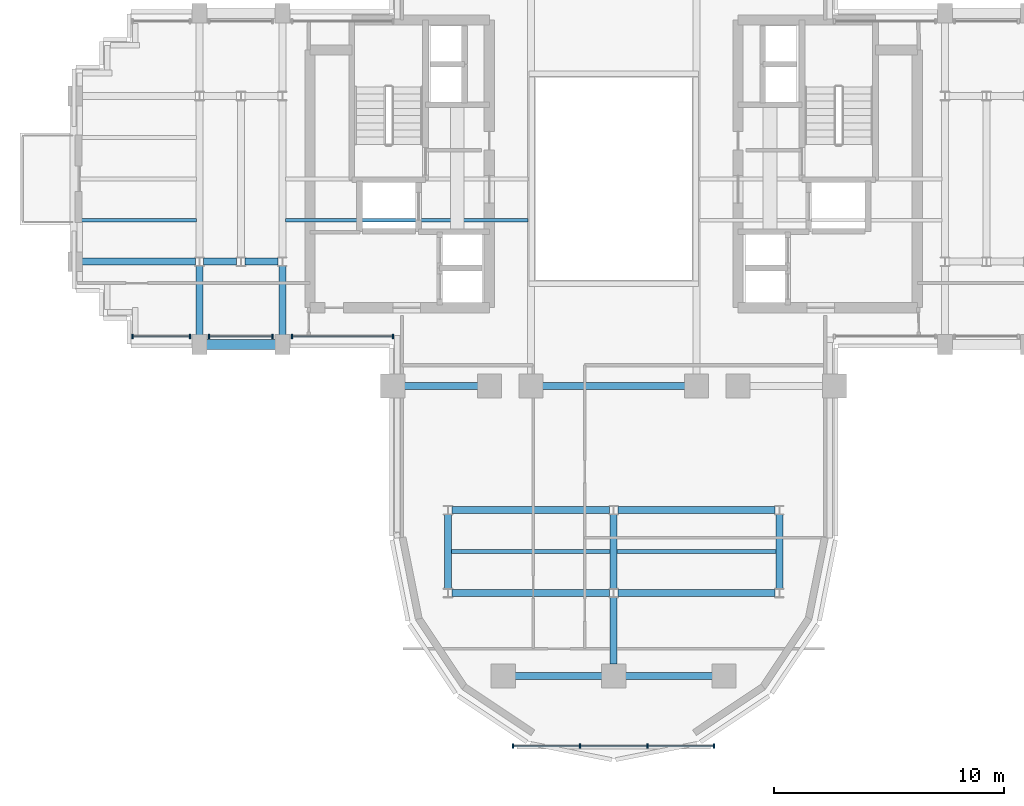
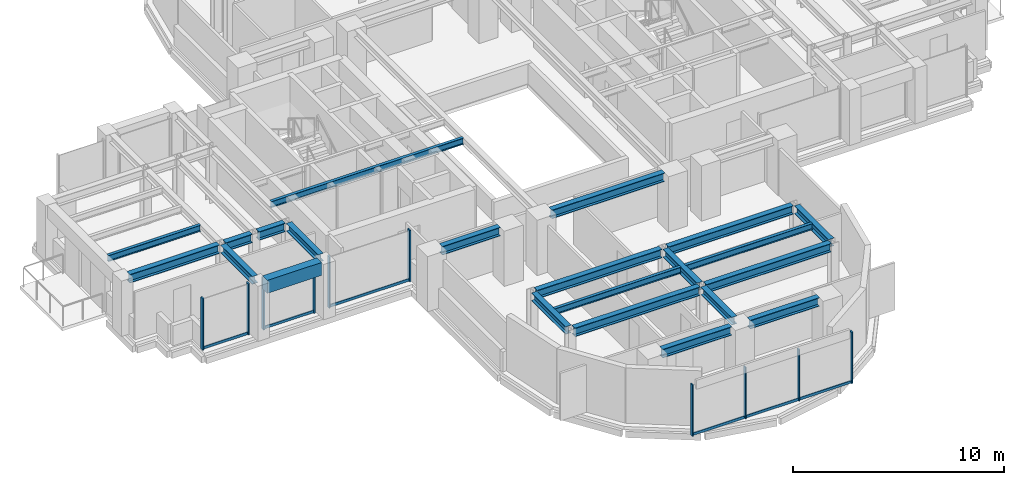
# One storey, part 3 of 13: 22 beams, 16 members, 4 elements without a shape of their own.
"""IFC4 building model written with IfcOpenShell, lengths in metres."""

from ifc_helpers import new_model, si_unit, direction, frame, origin, origin_2d, place, context, subcontext, project, spatial, rectangle, i_section, extrude, source, transform, mapped, material, material_profile, profile_set, type_object, element, aggregate, save


model = new_model("IFC4")

# Units and contexts
model_context = context("Model", 3, precision=1e-05, world=origin(), true_north=direction((0.0, 1.0)))
body_context = subcontext(model_context, "Body", "Model", "MODEL_VIEW")
ifc_project = project(units=[si_unit("LENGTHUNIT", "METRE"), si_unit("AREAUNIT", "SQUARE_METRE"), si_unit("VOLUMEUNIT", "CUBIC_METRE"), si_unit("PLANEANGLEUNIT", "RADIAN"), si_unit("MASSUNIT", "GRAM", prefix="KILO")], contexts=[model_context])

# Site, building, storey
site_placement = place(None, origin())
site = spatial("IfcSite", under=ifc_project, at=site_placement, CompositionType="ELEMENT")
building_placement = place(site_placement, origin())
building = spatial("IfcBuilding", under=site, at=building_placement, Name="Keilestroom Media Tower", CompositionType="ELEMENT")
storey_placement = place(building_placement, frame((0.0, 0.0, 100.60009765625)))
storey = spatial("IfcBuildingStorey", under=building, at=storey_placement, Name="L26", CompositionType="ELEMENT", Elevation=100.60009765625)

# Beams
ifc_material_1 = material(Name="Steel S355", Category="steel")
ifc_material_profile_1 = material_profile(ifc_material_1, i_section(OverallWidth=0.169921875, OverallDepth=0.360107421875, WebThickness=0.008056640625, FlangeThickness=0.0126953125, at=origin_2d()), Name="IPE 360")
ifc_profile_set_1 = profile_set([ifc_material_profile_1], Name="Steel S355")
beam_type_1 = type_object("IfcBeamType", Name="Secondary-Floor-Joist-IPE-360", PredefinedType="JOIST", material=ifc_profile_set_1)
shared_shape_1 = source(origin(), body_context, "Body", "SweptSolid", [
    extrude(i_section(OverallWidth=0.169921875, OverallDepth=0.360107421875, WebThickness=0.008056640625, FlangeThickness=0.0126953125, at=origin_2d()), origin(), (0.0, 0.0, 1.0), 6.940185546875),
])
for number, where, z_axis, x_axis, name in (
    (1, (-7.070068359375, -16.199951171875, 3.02001953125), (1.0, 0.0, 0.0), (0.0, 1.0, 0.0), "L26 Beam BJ-5 JST-L26-069"),
    (2, (0.1298828125, -16.199951171875, 3.02001953125), (1.0, 0.0, 0.0), (0.0, 1.0, 0.0), "L26 Beam BJ-5 JST-L26-070"),
):
    element("IfcBeam", number, at=place(storey_placement, frame(where, z_axis=z_axis, x_axis=x_axis)), inside=storey, type_object=beam_type_1, Name=name, PredefinedType="JOIST", context=body_context, shape_type="MappedRepresentation", body=[
        mapped(shared_shape_1, transform((0.0, 0.0, 0.0), x_axis=(1.0, 0.0, 0.0), y_axis=(0.0, 1.0, 0.0), z_axis=(0.0, 0.0, 1.0), scale=1.0)),
    ])
shared_shape_2 = source(origin(), body_context, "Body", "SweptSolid", [
    extrude(i_section(OverallWidth=0.169921875, OverallDepth=0.360107421875, WebThickness=0.008056640625, FlangeThickness=0.0126953125, at=origin_2d()), origin(), (0.0, 0.0, 1.0), 10.5400390625),
])
beam_1_placement = place(storey_placement, frame((-14.27001953125, -1.800048828125, 3.02001953125), z_axis=(1.0, 0.0, 0.0), x_axis=(0.0, 1.0, 0.0)))
element("IfcBeam", 3, at=beam_1_placement, inside=storey, type_object=beam_type_1, Name="L26 Beam BJ-5 JST-L26-072", PredefinedType="JOIST", context=body_context, shape_type="MappedRepresentation", body=[
    mapped(shared_shape_2, transform((0.0, 0.0, 0.0), x_axis=(1.0, 0.0, 0.0), y_axis=(0.0, 1.0, 0.0), z_axis=(0.0, 0.0, 1.0), scale=1.0)),
])
ifc_material_profile_2 = material_profile(ifc_material_1, i_section(OverallWidth=0.300048828125, OverallDepth=0.5, WebThickness=0.012451171875, FlangeThickness=0.028076171875, at=origin_2d()), Name="HEB 500")
ifc_profile_set_2 = profile_set([ifc_material_profile_2], Name="Steel S355")
beam_type_2 = type_object("IfcBeamType", Name="Primary-Structural-Girder-HEB-500", PredefinedType="BEAM", material=ifc_profile_set_2)
shared_shape_3 = source(origin(), body_context, "Body", "SweptSolid", [
    extrude(i_section(OverallWidth=0.300048828125, OverallDepth=0.5, WebThickness=0.012451171875, FlangeThickness=0.028076171875, at=origin_2d()), origin(), (0.0, 0.0, 1.0), 3.7900390625),
])
for number, where, z_axis, x_axis, name in (
    (4, (-4.294921875, -21.60009765625, 2.949951171875), (1.0, 0.0, 0.0), (0.0, 1.0, 0.0), "L26 Beam BG-6 BM-L26-EW-001"),
    (5, (0.5048828125, -21.60009765625, 2.949951171875), (1.0, 0.0, 0.0), (0.0, 1.0, 0.0), "L26 Beam BG-6 BM-L26-EW-002"),
):
    element("IfcBeam", number, at=place(storey_placement, frame(where, z_axis=z_axis, x_axis=x_axis)), inside=storey, type_object=beam_type_2, Name=name, PredefinedType="BEAM", context=body_context, shape_type="MappedRepresentation", body=[
        mapped(shared_shape_3, transform((0.0, 0.0, 0.0), x_axis=(1.0, 0.0, 0.0), y_axis=(0.0, 1.0, 0.0), z_axis=(0.0, 0.0, 1.0), scale=1.0)),
    ])
shared_shape_4 = source(origin(), body_context, "Body", "SweptSolid", [
    extrude(i_section(OverallWidth=0.300048828125, OverallDepth=0.5, WebThickness=0.012451171875, FlangeThickness=0.028076171875, at=origin_2d()), origin(), (0.0, 0.0, 1.0), 6.839111328125),
])
for number, where, z_axis, x_axis, name in (
    (6, (-7.01953125, -18.0, 2.949951171875), (1.0, 0.0, 0.0), (0.0, 1.0, 0.0), "L26 Beam BG-6 BM-L26-EW-003"),
    (7, (0.180419921875, -18.0, 2.949951171875), (1.0, 0.0, 0.0), (0.0, 1.0, 0.0), "L26 Beam BG-6 BM-L26-EW-004"),
    (8, (-7.01953125, -14.39990234375, 2.949951171875), (1.0, 0.0, 0.0), (0.0, 1.0, 0.0), "L26 Beam BG-6 BM-L26-EW-005"),
    (9, (0.180419921875, -14.39990234375, 2.949951171875), (1.0, 0.0, 0.0), (0.0, 1.0, 0.0), "L26 Beam BG-6 BM-L26-EW-006"),
):
    element("IfcBeam", number, at=place(storey_placement, frame(where, z_axis=z_axis, x_axis=x_axis)), inside=storey, type_object=beam_type_2, Name=name, PredefinedType="BEAM", context=body_context, shape_type="MappedRepresentation", body=[
        mapped(shared_shape_4, transform((0.0, 0.0, 0.0), x_axis=(1.0, 0.0, 0.0), y_axis=(0.0, 1.0, 0.0), z_axis=(0.0, 0.0, 1.0), scale=1.0)),
    ])
shared_shape_5 = source(origin(), body_context, "Body", "SweptSolid", [
    extrude(i_section(OverallWidth=0.300048828125, OverallDepth=0.5, WebThickness=0.012451171875, FlangeThickness=0.028076171875, at=origin_2d()), origin(), (0.0, 0.0, 1.0), 3.18994140625),
])
beam_2_placement = place(storey_placement, frame((-9.094970703125, -9.0, 2.949951171875), z_axis=(1.0, 0.0, 0.0), x_axis=(0.0, 1.0, 0.0)))
element("IfcBeam", 10, at=beam_2_placement, inside=storey, type_object=beam_type_2, Name="L26 Beam BG-6 BM-L26-EW-007", PredefinedType="BEAM", context=body_context, shape_type="MappedRepresentation", body=[
    mapped(shared_shape_5, transform((0.0, 0.0, 0.0), x_axis=(1.0, 0.0, 0.0), y_axis=(0.0, 1.0, 0.0), z_axis=(0.0, 0.0, 1.0), scale=1.0)),
])
shared_shape_6 = source(origin(), body_context, "Body", "SweptSolid", [
    extrude(i_section(OverallWidth=0.300048828125, OverallDepth=0.5, WebThickness=0.012451171875, FlangeThickness=0.028076171875, at=origin_2d()), origin(), (0.0, 0.0, 1.0), 6.18994140625),
])
beam_3_placement = place(storey_placement, frame((-3.094970703125, -9.0, 2.949951171875), z_axis=(1.0, 0.0, 0.0), x_axis=(0.0, 1.0, 0.0)))
element("IfcBeam", 11, at=beam_3_placement, inside=storey, type_object=beam_type_2, Name="L26 Beam BG-6 BM-L26-EW-009", PredefinedType="BEAM", context=body_context, shape_type="MappedRepresentation", body=[
    mapped(shared_shape_6, transform((0.0, 0.0, 0.0), x_axis=(1.0, 0.0, 0.0), y_axis=(0.0, 1.0, 0.0), z_axis=(0.0, 0.0, 1.0), scale=1.0)),
])
ifc_material_2 = material(Name="Precast concrete C40/50", Category="concrete")
ifc_material_profile_3 = material_profile(ifc_material_2, rectangle(XDim=0.449951171875, YDim=0.75, at=origin_2d()), Name="PC 450x750")
ifc_profile_set_3 = profile_set([ifc_material_profile_3], Name="Precast concrete C40/50")
beam_type_3 = type_object("IfcBeamType", Name="Perimeter-Spandrel-Beam-PC-450x750", PredefinedType="SPANDREL", material=ifc_profile_set_3)
shared_shape_7 = source(origin(), body_context, "Body", "SweptSolid", [
    extrude(rectangle(XDim=0.449951171875, YDim=0.75, at=origin_2d()), origin(), (0.0, 0.0, 1.0), 2.989990234375),
])
beam_4_placement = place(storey_placement, frame((-17.695068359375, -7.199951171875, 2.824951171875), z_axis=(1.0, 0.0, 0.0), x_axis=(0.0, 1.0, 0.0)))
element("IfcBeam", 12, at=beam_4_placement, inside=storey, type_object=beam_type_3, Name="L26 Beam SPB-1 BM-L26-EW-012", PredefinedType="SPANDREL", context=body_context, shape_type="MappedRepresentation", body=[
    mapped(shared_shape_7, transform((0.0, 0.0, 0.0), x_axis=(1.0, 0.0, 0.0), y_axis=(0.0, 1.0, 0.0), z_axis=(0.0, 0.0, 1.0), scale=1.0)),
])
shared_shape_8 = source(origin(), body_context, "Body", "SweptSolid", [
    extrude(i_section(OverallWidth=0.300048828125, OverallDepth=0.5, WebThickness=0.012451171875, FlangeThickness=0.028076171875, at=origin_2d()), origin(), (0.0, 0.0, 1.0), 4.91455078125),
])
beam_5_placement = place(storey_placement, frame((-23.094970703125, -3.60009765625, 2.949951171875), z_axis=(1.0, 0.0, 0.0), x_axis=(0.0, 1.0, 0.0)))
element("IfcBeam", 13, at=beam_5_placement, inside=storey, type_object=beam_type_2, Name="L26 Beam BG-6 BM-L26-EW-014", PredefinedType="BEAM", context=body_context, shape_type="MappedRepresentation", body=[
    mapped(shared_shape_8, transform((0.0, 0.0, 0.0), x_axis=(1.0, 0.0, 0.0), y_axis=(0.0, 1.0, 0.0), z_axis=(0.0, 0.0, 1.0), scale=1.0)),
])
shared_shape_9 = source(origin(), body_context, "Body", "SweptSolid", [
    extrude(i_section(OverallWidth=0.300048828125, OverallDepth=0.5, WebThickness=0.012451171875, FlangeThickness=0.028076171875, at=origin_2d()), origin(), (0.0, 0.0, 1.0), 1.43896484375),
])
for number, where, z_axis, x_axis, name in (
    (14, (-17.819580078125, -3.60009765625, 2.949951171875), (1.0, 0.0, 0.0), (0.0, 1.0, 0.0), "L26 Beam BG-6 BM-L26-EW-015"),
    (15, (-16.01953125, -3.60009765625, 2.949951171875), (1.0, 0.0, 0.0), (0.0, 1.0, 0.0), "L26 Beam BG-6 BM-L26-EW-016"),
):
    element("IfcBeam", number, at=place(storey_placement, frame(where, z_axis=z_axis, x_axis=x_axis)), inside=storey, type_object=beam_type_2, Name=name, PredefinedType="BEAM", context=body_context, shape_type="MappedRepresentation", body=[
        mapped(shared_shape_9, transform((0.0, 0.0, 0.0), x_axis=(1.0, 0.0, 0.0), y_axis=(0.0, 1.0, 0.0), z_axis=(0.0, 0.0, 1.0), scale=1.0)),
    ])
ifc_material_profile_4 = material_profile(ifc_material_1, i_section(OverallWidth=0.300048828125, OverallDepth=0.449951171875, WebThickness=0.011962890625, FlangeThickness=0.02587890625, at=origin_2d()), Name="HEB 450")
ifc_profile_set_4 = profile_set([ifc_material_profile_4], Name="Steel S355")
beam_type_4 = type_object("IfcBeamType", Name="Primary-Structural-Girder-HEB-450", PredefinedType="BEAM", material=ifc_profile_set_4)
shared_shape_10 = source(origin(), body_context, "Body", "SweptSolid", [
    extrude(i_section(OverallWidth=0.300048828125, OverallDepth=0.449951171875, WebThickness=0.011962890625, FlangeThickness=0.02587890625, at=origin_2d()), origin(), (0.0, 0.0, 1.0), 3.015380859375),
])
for number, where, z_axis, x_axis, name in (
    (16, (-18.0, -6.794921875, 2.974853515625), (0.0, 1.0, 0.0), (-1.0, 0.0, 0.0), "L26 Beam BG-7 BM-L26-NS-040"),
    (17, (-14.39990234375, -6.794921875, 2.974853515625), (0.0, 1.0, 0.0), (-1.0, 0.0, 0.0), "L26 Beam BG-7 BM-L26-NS-044"),
):
    element("IfcBeam", number, at=place(storey_placement, frame(where, z_axis=z_axis, x_axis=x_axis)), inside=storey, type_object=beam_type_4, Name=name, PredefinedType="BEAM", context=body_context, shape_type="MappedRepresentation", body=[
        mapped(shared_shape_10, transform((0.0, 0.0, 0.0), x_axis=(1.0, 0.0, 0.0), y_axis=(0.0, 1.0, 0.0), z_axis=(0.0, 0.0, 1.0), scale=1.0)),
    ])
shared_shape_11 = source(origin(), body_context, "Body", "SweptSolid", [
    extrude(i_section(OverallWidth=0.300048828125, OverallDepth=0.449951171875, WebThickness=0.011962890625, FlangeThickness=0.02587890625, at=origin_2d()), origin(), (0.0, 0.0, 1.0), 3.240966796875),
])
for number, where, z_axis, x_axis, name in (
    (18, (-7.199951171875, -17.820556640625, 2.974853515625), (0.0, 1.0, 0.0), (-1.0, 0.0, 0.0), "L26 Beam BG-7 BM-L26-NS-048"),
    (19, (0.0, -17.820556640625, 2.974853515625), (0.0, 1.0, 0.0), (-1.0, 0.0, 0.0), "L26 Beam BG-7 BM-L26-NS-053"),
    (20, (7.199951171875, -17.820556640625, 2.974853515625), (0.0, 1.0, 0.0), (-1.0, 0.0, 0.0), "L26 Beam BG-7 BM-L26-NS-058"),
):
    element("IfcBeam", number, at=place(storey_placement, frame(where, z_axis=z_axis, x_axis=x_axis)), inside=storey, type_object=beam_type_4, Name=name, PredefinedType="BEAM", context=body_context, shape_type="MappedRepresentation", body=[
        mapped(shared_shape_11, transform((0.0, 0.0, 0.0), x_axis=(1.0, 0.0, 0.0), y_axis=(0.0, 1.0, 0.0), z_axis=(0.0, 0.0, 1.0), scale=1.0)),
    ])
shared_shape_12 = source(origin(), body_context, "Body", "SweptSolid", [
    extrude(i_section(OverallWidth=0.300048828125, OverallDepth=0.449951171875, WebThickness=0.011962890625, FlangeThickness=0.02587890625, at=origin_2d()), origin(), (0.0, 0.0, 1.0), 2.91552734375),
])
beam_6_placement = place(storey_placement, frame((0.0, -21.094970703125, 2.974853515625), z_axis=(0.0, 1.0, 0.0), x_axis=(-1.0, 0.0, 0.0)))
element("IfcBeam", 21, at=beam_6_placement, inside=storey, type_object=beam_type_4, Name="L26 Beam BG-7 BM-L26-NS-052", PredefinedType="BEAM", context=body_context, shape_type="MappedRepresentation", body=[
    mapped(shared_shape_12, transform((0.0, 0.0, 0.0), x_axis=(1.0, 0.0, 0.0), y_axis=(0.0, 1.0, 0.0), z_axis=(0.0, 0.0, 1.0), scale=1.0)),
])
shared_shape_13 = source(origin(), body_context, "Body", "SweptSolid", [
    extrude(i_section(OverallWidth=0.169921875, OverallDepth=0.360107421875, WebThickness=0.008056640625, FlangeThickness=0.0126953125, at=origin_2d()), origin(), (0.0, 0.0, 1.0), 5.065185546875),
])
beam_7_placement = place(storey_placement, frame((-23.195068359375, -1.800048828125, 3.02001953125), z_axis=(1.0, 0.0, 0.0), x_axis=(0.0, 1.0, 0.0)))
element("IfcBeam", 22, at=beam_7_placement, inside=storey, type_object=beam_type_1, Name="L26 Beam BJ-5 JST-L26-071", PredefinedType="JOIST", context=body_context, shape_type="MappedRepresentation", body=[
    mapped(shared_shape_13, transform((0.0, 0.0, 0.0), x_axis=(1.0, 0.0, 0.0), y_axis=(0.0, 1.0, 0.0), z_axis=(0.0, 0.0, 1.0), scale=1.0)),
])

# Curtain wall, members
ifc_material_3 = material(Name="Anodised Aluminium Alloy", Category="aluminium")
curtain_wall_type_1 = type_object("IfcCurtainWallType", Name="Unitised-Curtain-Wall-CW-6", PredefinedType="NOTDEFINED", material=ifc_material_3)
curtain_wall_1_placement = place(storey_placement, origin())
curtain_wall_1 = element("IfcCurtainWall", 23, at=curtain_wall_1_placement, inside=storey, type_object=curtain_wall_type_1, Name="L26 Curtain Wall CW-6 CW-L26-LS-1", PredefinedType="NOTDEFINED")
ifc_material_profile_5 = material_profile(ifc_material_3, rectangle(XDim=0.06494140625, YDim=0.179931640625, at=origin_2d()), Name="ALU MULLION 65x180")
ifc_profile_set_5 = profile_set([ifc_material_profile_5], Name="Anodised Aluminium Alloy")
member_type_1 = type_object("IfcMemberType", Name="Curtain-Wall-Mullion-CW-6", PredefinedType="MULLION", material=ifc_profile_set_5)
shared_shape_14 = source(origin(), body_context, "Body", "SweptSolid", [
    extrude(rectangle(XDim=0.06494140625, YDim=0.179931640625, at=origin_2d()), origin(), (0.0, 0.0, 1.0), 2.97998046875),
])
member_1_placement = place(storey_placement, frame((-4.367431640625, -24.64990234375, 0.0), z_axis=(0.0, 0.0, 1.0), x_axis=(1.0, 0.0, 0.0)))
member_1 = element("IfcMember", 24, at=member_1_placement, type_object=member_type_1, Name="CW-6 Mullion 00", PredefinedType="MULLION", context=body_context, shape_type="MappedRepresentation", body=[
    mapped(shared_shape_14, transform((0.0, 0.0, 0.0), x_axis=(1.0, 0.0, 0.0), y_axis=(0.0, 1.0, 0.0), z_axis=(0.0, 0.0, 1.0), scale=1.0)),
])
member_2_placement = place(storey_placement, frame((-1.466796875, -24.64990234375, 0.0), z_axis=(0.0, 0.0, 1.0), x_axis=(1.0, 0.0, 0.0)))
member_2 = element("IfcMember", 25, at=member_2_placement, type_object=member_type_1, Name="CW-6 Mullion 01", PredefinedType="MULLION", context=body_context, shape_type="MappedRepresentation", body=[
    mapped(shared_shape_14, transform((0.0, 0.0, 0.0), x_axis=(1.0, 0.0, 0.0), y_axis=(0.0, 1.0, 0.0), z_axis=(0.0, 0.0, 1.0), scale=1.0)),
])
member_3_placement = place(storey_placement, frame((1.466796875, -24.64990234375, 0.0), z_axis=(0.0, 0.0, 1.0), x_axis=(1.0, 0.0, 0.0)))
member_3 = element("IfcMember", 26, at=member_3_placement, type_object=member_type_1, Name="CW-6 Mullion 02", PredefinedType="MULLION", context=body_context, shape_type="MappedRepresentation", body=[
    mapped(shared_shape_14, transform((0.0, 0.0, 0.0), x_axis=(1.0, 0.0, 0.0), y_axis=(0.0, 1.0, 0.0), z_axis=(0.0, 0.0, 1.0), scale=1.0)),
])
member_4_placement = place(storey_placement, frame((4.367431640625, -24.64990234375, 0.0), z_axis=(0.0, 0.0, 1.0), x_axis=(1.0, 0.0, 0.0)))
member_4 = element("IfcMember", 27, at=member_4_placement, type_object=member_type_1, Name="CW-6 Mullion 03", PredefinedType="MULLION", context=body_context, shape_type="MappedRepresentation", body=[
    mapped(shared_shape_14, transform((0.0, 0.0, 0.0), x_axis=(1.0, 0.0, 0.0), y_axis=(0.0, 1.0, 0.0), z_axis=(0.0, 0.0, 1.0), scale=1.0)),
])
ifc_material_profile_6 = material_profile(ifc_material_3, rectangle(XDim=0.06494140625, YDim=0.14990234375, at=origin_2d()), Name="ALU TRANSOM 65x150")
ifc_profile_set_6 = profile_set([ifc_material_profile_6], Name="Anodised Aluminium Alloy")
member_type_2 = type_object("IfcMemberType", Name="Curtain-Wall-Transom-CW-6", PredefinedType="USERDEFINED", material=ifc_profile_set_6)
shared_shape_15 = source(origin(), body_context, "Body", "SweptSolid", [
    extrude(rectangle(XDim=0.06494140625, YDim=0.14990234375, at=origin_2d()), origin(), (0.0, 0.0, 1.0), 2.839599609375),
])
member_5_placement = place(storey_placement, frame((-4.3369140625, -24.64990234375, 0.074951171875), z_axis=(1.0, 0.0, 0.0), x_axis=(0.0, 1.0, 0.0)))
member_5 = element("IfcMember", 28, at=member_5_placement, type_object=member_type_2, Name="CW-6 Transom 00.1", ObjectType="TRANSOM", PredefinedType="USERDEFINED", context=body_context, shape_type="MappedRepresentation", body=[
    mapped(shared_shape_15, transform((0.0, 0.0, 0.0), x_axis=(1.0, 0.0, 0.0), y_axis=(0.0, 1.0, 0.0), z_axis=(0.0, 0.0, 1.0), scale=1.0)),
])
member_6_placement = place(storey_placement, frame((1.497314453125, -24.64990234375, 0.074951171875), z_axis=(1.0, 0.0, 0.0), x_axis=(0.0, 1.0, 0.0)))
member_6 = element("IfcMember", 29, at=member_6_placement, type_object=member_type_2, Name="CW-6 Transom 02.1", ObjectType="TRANSOM", PredefinedType="USERDEFINED", context=body_context, shape_type="MappedRepresentation", body=[
    mapped(shared_shape_15, transform((0.0, 0.0, 0.0), x_axis=(1.0, 0.0, 0.0), y_axis=(0.0, 1.0, 0.0), z_axis=(0.0, 0.0, 1.0), scale=1.0)),
])
shared_shape_16 = source(origin(), body_context, "Body", "SweptSolid", [
    extrude(rectangle(XDim=0.06494140625, YDim=0.14990234375, at=origin_2d()), origin(), (0.0, 0.0, 1.0), 2.87255859375),
])
member_7_placement = place(storey_placement, frame((-1.436279296875, -24.64990234375, 0.074951171875), z_axis=(1.0, 0.0, 0.0), x_axis=(0.0, 1.0, 0.0)))
member_7 = element("IfcMember", 30, at=member_7_placement, type_object=member_type_2, Name="CW-6 Transom 01.1", ObjectType="TRANSOM", PredefinedType="USERDEFINED", context=body_context, shape_type="MappedRepresentation", body=[
    mapped(shared_shape_16, transform((0.0, 0.0, 0.0), x_axis=(1.0, 0.0, 0.0), y_axis=(0.0, 1.0, 0.0), z_axis=(0.0, 0.0, 1.0), scale=1.0)),
])
aggregate(curtain_wall_1, [member_1, member_2, member_3, member_4, member_5, member_7, member_6])

curtain_wall_type_2 = type_object("IfcCurtainWallType", Name="Unitised-Curtain-Wall-CW-2", PredefinedType="NOTDEFINED", material=ifc_material_3)
curtain_wall_2_placement = place(storey_placement, origin())
curtain_wall_2 = element("IfcCurtainWall", 31, at=curtain_wall_2_placement, inside=storey, type_object=curtain_wall_type_2, Name="L26 Curtain Wall CW-2 CW-L26-SW-1", PredefinedType="NOTDEFINED")
ifc_material_profile_7 = material_profile(ifc_material_3, rectangle(XDim=0.070068359375, YDim=0.199951171875, at=origin_2d()), Name="ALU MULLION 70x200")
ifc_profile_set_7 = profile_set([ifc_material_profile_7], Name="Anodised Aluminium Alloy")
member_type_3 = type_object("IfcMemberType", Name="Curtain-Wall-Mullion-CW-2", PredefinedType="MULLION", material=ifc_profile_set_7)
shared_shape_17 = source(origin(), body_context, "Body", "SweptSolid", [
    extrude(rectangle(XDim=0.070068359375, YDim=0.199951171875, at=origin_2d()), origin(), (0.0, 0.0, 1.0), 2.97998046875),
])
member_8_placement = place(storey_placement, frame((-20.9150390625, -6.85009765625, 0.0), z_axis=(0.0, 0.0, 1.0), x_axis=(1.0, 0.0, 0.0)))
member_8 = element("IfcMember", 32, at=member_8_placement, type_object=member_type_3, Name="CW-2 Mullion 00", PredefinedType="MULLION", context=body_context, shape_type="MappedRepresentation", body=[
    mapped(shared_shape_17, transform((0.0, 0.0, 0.0), x_axis=(1.0, 0.0, 0.0), y_axis=(0.0, 1.0, 0.0), z_axis=(0.0, 0.0, 1.0), scale=1.0)),
])
member_9_placement = place(storey_placement, frame((-18.419921875, -6.85009765625, 0.0), z_axis=(0.0, 0.0, 1.0), x_axis=(1.0, 0.0, 0.0)))
member_9 = element("IfcMember", 33, at=member_9_placement, type_object=member_type_3, Name="CW-2 Mullion 01", PredefinedType="MULLION", context=body_context, shape_type="MappedRepresentation", body=[
    mapped(shared_shape_17, transform((0.0, 0.0, 0.0), x_axis=(1.0, 0.0, 0.0), y_axis=(0.0, 1.0, 0.0), z_axis=(0.0, 0.0, 1.0), scale=1.0)),
])

curtain_wall_3_placement = place(storey_placement, origin())
curtain_wall_3 = element("IfcCurtainWall", 34, at=curtain_wall_3_placement, inside=storey, type_object=curtain_wall_type_2, Name="L26 Curtain Wall CW-2 CW-L26-SW-2", PredefinedType="NOTDEFINED")
member_10_placement = place(storey_placement, frame((-17.580078125, -6.85009765625, 0.0), z_axis=(0.0, 0.0, 1.0), x_axis=(1.0, 0.0, 0.0)))
member_10 = element("IfcMember", 35, at=member_10_placement, type_object=member_type_3, Name="CW-2 Mullion 00", PredefinedType="MULLION", context=body_context, shape_type="MappedRepresentation", body=[
    mapped(shared_shape_17, transform((0.0, 0.0, 0.0), x_axis=(1.0, 0.0, 0.0), y_axis=(0.0, 1.0, 0.0), z_axis=(0.0, 0.0, 1.0), scale=1.0)),
])
member_11_placement = place(storey_placement, frame((-14.820068359375, -6.85009765625, 0.0), z_axis=(0.0, 0.0, 1.0), x_axis=(1.0, 0.0, 0.0)))
member_11 = element("IfcMember", 36, at=member_11_placement, type_object=member_type_3, Name="CW-2 Mullion 01", PredefinedType="MULLION", context=body_context, shape_type="MappedRepresentation", body=[
    mapped(shared_shape_17, transform((0.0, 0.0, 0.0), x_axis=(1.0, 0.0, 0.0), y_axis=(0.0, 1.0, 0.0), z_axis=(0.0, 0.0, 1.0), scale=1.0)),
])

curtain_wall_4_placement = place(storey_placement, origin())
curtain_wall_4 = element("IfcCurtainWall", 37, at=curtain_wall_4_placement, inside=storey, type_object=curtain_wall_type_2, Name="L26 Curtain Wall CW-2 CW-L26-SW-3", PredefinedType="NOTDEFINED")
member_12_placement = place(storey_placement, frame((-13.97998046875, -6.85009765625, 0.0), z_axis=(0.0, 0.0, 1.0), x_axis=(1.0, 0.0, 0.0)))
member_12 = element("IfcMember", 38, at=member_12_placement, type_object=member_type_3, Name="CW-2 Mullion 00", PredefinedType="MULLION", context=body_context, shape_type="MappedRepresentation", body=[
    mapped(shared_shape_17, transform((0.0, 0.0, 0.0), x_axis=(1.0, 0.0, 0.0), y_axis=(0.0, 1.0, 0.0), z_axis=(0.0, 0.0, 1.0), scale=1.0)),
])
member_13_placement = place(storey_placement, frame((-9.5849609375, -6.85009765625, 0.0), z_axis=(0.0, 0.0, 1.0), x_axis=(1.0, 0.0, 0.0)))
member_13 = element("IfcMember", 39, at=member_13_placement, type_object=member_type_3, Name="CW-2 Mullion 01", PredefinedType="MULLION", context=body_context, shape_type="MappedRepresentation", body=[
    mapped(shared_shape_17, transform((0.0, 0.0, 0.0), x_axis=(1.0, 0.0, 0.0), y_axis=(0.0, 1.0, 0.0), z_axis=(0.0, 0.0, 1.0), scale=1.0)),
])

# Member
ifc_material_profile_8 = material_profile(ifc_material_3, rectangle(XDim=0.06494140625, YDim=0.14990234375, at=origin_2d()), Name="ALU TRANSOM 65x150")
ifc_profile_set_8 = profile_set([ifc_material_profile_8], Name="Anodised Aluminium Alloy")
member_type_4 = type_object("IfcMemberType", Name="Curtain-Wall-Transom-CW-2", PredefinedType="USERDEFINED", material=ifc_profile_set_8)
shared_shape_18 = source(origin(), body_context, "Body", "SweptSolid", [
    extrude(rectangle(XDim=0.06494140625, YDim=0.14990234375, at=origin_2d()), origin(), (0.0, 0.0, 1.0), 2.42919921875),
])
member_14_placement = place(storey_placement, frame((-20.882080078125, -6.85009765625, 0.074951171875), z_axis=(1.0, 0.0, 0.0), x_axis=(0.0, 1.0, 0.0)))
member_14 = element("IfcMember", 40, at=member_14_placement, type_object=member_type_4, Name="CW-2 Transom 00.1", ObjectType="TRANSOM", PredefinedType="USERDEFINED", context=body_context, shape_type="MappedRepresentation", body=[
    mapped(shared_shape_18, transform((0.0, 0.0, 0.0), x_axis=(1.0, 0.0, 0.0), y_axis=(0.0, 1.0, 0.0), z_axis=(0.0, 0.0, 1.0), scale=1.0)),
])

aggregate(curtain_wall_2, [member_8, member_9, member_14])

shared_shape_19 = source(origin(), body_context, "Body", "SweptSolid", [
    extrude(rectangle(XDim=0.06494140625, YDim=0.14990234375, at=origin_2d()), origin(), (0.0, 0.0, 1.0), 2.694091796875),
])
member_15_placement = place(storey_placement, frame((-17.547119140625, -6.85009765625, 0.074951171875), z_axis=(1.0, 0.0, 0.0), x_axis=(0.0, 1.0, 0.0)))
member_15 = element("IfcMember", 41, at=member_15_placement, type_object=member_type_4, Name="CW-2 Transom 00.1", ObjectType="TRANSOM", PredefinedType="USERDEFINED", context=body_context, shape_type="MappedRepresentation", body=[
    mapped(shared_shape_19, transform((0.0, 0.0, 0.0), x_axis=(1.0, 0.0, 0.0), y_axis=(0.0, 1.0, 0.0), z_axis=(0.0, 0.0, 1.0), scale=1.0)),
])

aggregate(curtain_wall_3, [member_10, member_11, member_15])

shared_shape_20 = source(origin(), body_context, "Body", "SweptSolid", [
    extrude(rectangle(XDim=0.06494140625, YDim=0.14990234375, at=origin_2d()), origin(), (0.0, 0.0, 1.0), 4.3291015625),
])
member_16_placement = place(storey_placement, frame((-13.947021484375, -6.85009765625, 0.074951171875), z_axis=(1.0, 0.0, 0.0), x_axis=(0.0, 1.0, 0.0)))
member_16 = element("IfcMember", 42, at=member_16_placement, type_object=member_type_4, Name="CW-2 Transom 00.1", ObjectType="TRANSOM", PredefinedType="USERDEFINED", context=body_context, shape_type="MappedRepresentation", body=[
    mapped(shared_shape_20, transform((0.0, 0.0, 0.0), x_axis=(1.0, 0.0, 0.0), y_axis=(0.0, 1.0, 0.0), z_axis=(0.0, 0.0, 1.0), scale=1.0)),
])

aggregate(curtain_wall_4, [member_12, member_13, member_16])

save(model, "model.ifc")
